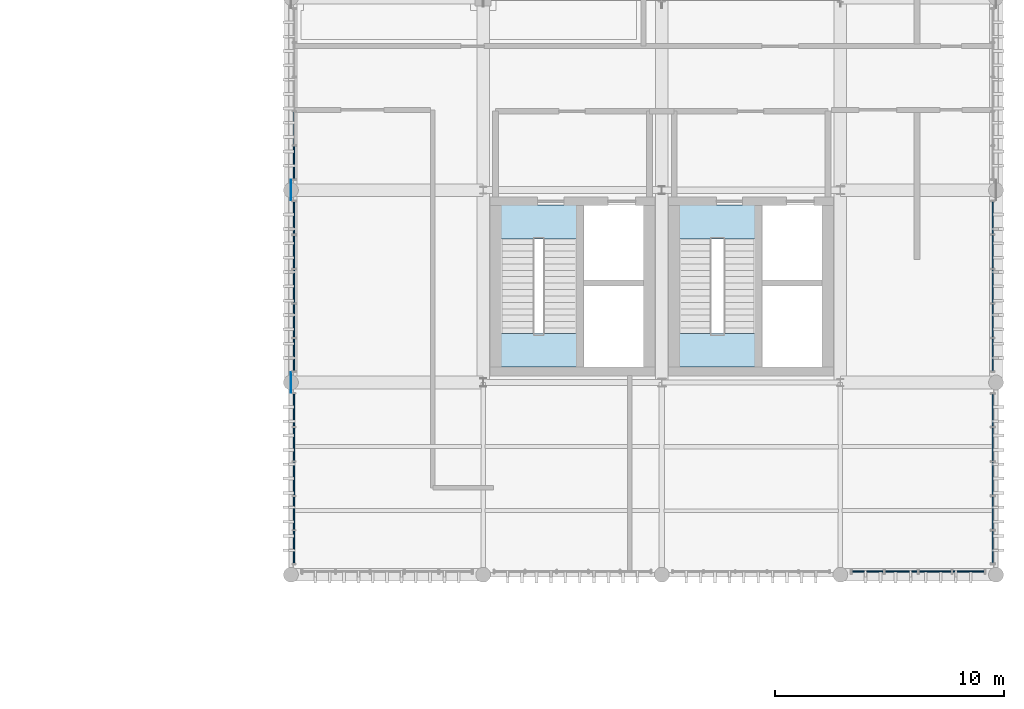
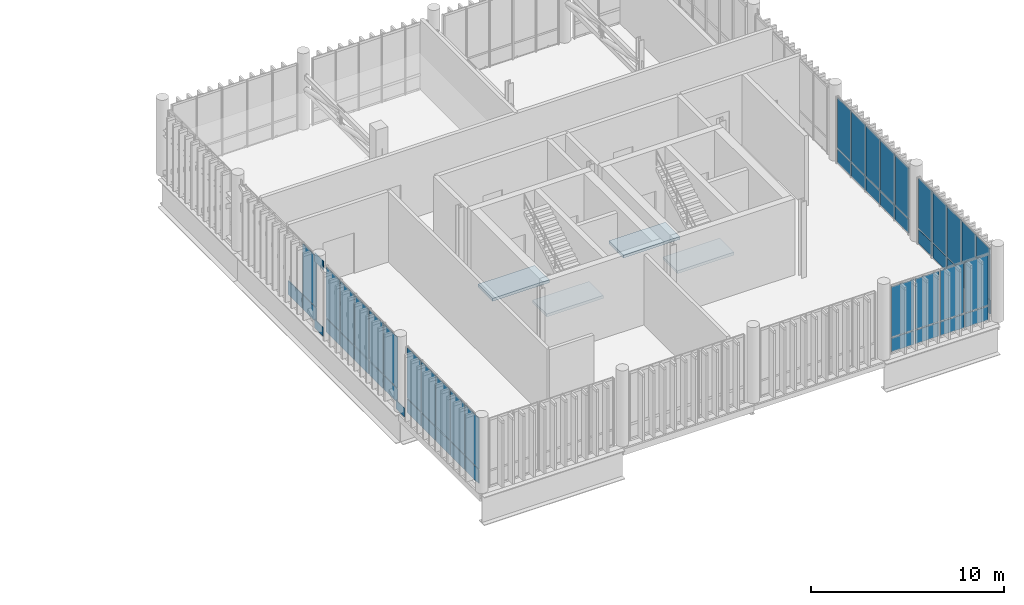
# One storey, part 65 of 81: 54 plates, 4 slabs, 8 elements without a shape of their own.
"""IFC4 building model written with IfcOpenShell, lengths in metres."""

import ifcopenshell
import ifcopenshell.guid

model = None  # the IFC model being written
_history = None  # IfcOwnerHistory: only IFC2X3 demands one
_inside = {}  # id of a spatial element -> (the spatial element, [elements in it])
_under = {}  # id of a project, library or spatial element -> (it, [spatial elements below it])
_declared = {}  # id of a project -> (the project, [libraries it declares])
_typed = {}  # id of a type object -> (the type object, [elements of that type])
_made_of = {}  # id of a material, layer set ... -> (it, [elements and type objects made of it])


def new_model(schema):
    """Start an empty IFC model of exactly this schema.

    Asked for "IFC4X3", IfcOpenShell would pick the latest addendum, in which some entities
    have other attributes; the version numbers below select the first issue.
    IFC2X3 requires an IfcOwnerHistory on every rooted entity: one is made here for all.
    """
    global model, _history
    if schema == "IFC4X3":
        model = ifcopenshell.file(schema_version=(4, 3, 0, 0))
    else:
        model = ifcopenshell.file(schema=schema)
    _inside.clear()
    _under.clear()
    _declared.clear()
    _typed.clear()
    _made_of.clear()
    _history = None
    if model.schema == "IFC2X3":
        org = make("IfcOrganization", Name="unknown")
        user = make(
            "IfcPersonAndOrganization",
            ThePerson=make("IfcPerson", FamilyName="unknown"),
            TheOrganization=org,
        )
        app = make(
            "IfcApplication",
            ApplicationDeveloper=org,
            Version="unknown",
            ApplicationFullName="unknown",
            ApplicationIdentifier="unknown",
        )
        _history = make(
            "IfcOwnerHistory",
            OwningUser=user,
            OwningApplication=app,
            ChangeAction="ADDED",
            CreationDate=0,
        )
    return model


def make(cls, **values):
    """One entity of the class cls with the attributes given. An attribute that is None is left unset."""
    return model.create_entity(
        cls, **{name: value for name, value in values.items() if value is not None}
    )


def rooted(cls, **values):
    """An entity with a GlobalId (a new one), such as an element, a storey or a relation."""
    return make(cls, GlobalId=ifcopenshell.guid.new(), OwnerHistory=_history, **values)


def si_unit(unit_type, name, prefix=None):
    """IfcSIUnit, for example si_unit("LENGTHUNIT", "METRE", prefix="MILLI")."""
    return make("IfcSIUnit", UnitType=unit_type, Prefix=prefix, Name=name)


def assignment(units):
    """IfcUnitAssignment: the units of a project."""
    return None if units is None else make("IfcUnitAssignment", Units=units)


def point(xyz):
    """IfcCartesianPoint."""
    return None if xyz is None else make("IfcCartesianPoint", Coordinates=xyz)


def direction(xyz):
    """IfcDirection."""
    return None if xyz is None else make("IfcDirection", DirectionRatios=xyz)


def frame(location, z_axis=None, x_axis=None):
    """IfcAxis2Placement3D, a coordinate frame: its origin and axes. An axis left out is left unset."""
    return make(
        "IfcAxis2Placement3D",
        Location=point(location),
        Axis=direction(z_axis),
        RefDirection=direction(x_axis),
    )


def frame_2d(location, x_axis=None):
    """IfcAxis2Placement2D, a coordinate frame in the plane: its origin and x axis."""
    return make(
        "IfcAxis2Placement2D", Location=point(location), RefDirection=direction(x_axis)
    )


def origin_with_axes():
    """The frame at (0, 0, 0) with the z axis (0, 0, 1) and the x axis (1, 0, 0) written out."""
    return frame((0.0, 0.0, 0.0), z_axis=(0.0, 0.0, 1.0), x_axis=(1.0, 0.0, 0.0))


def origin_2d_with_axis():
    """The frame at (0, 0) in the plane with the x axis (1, 0) written out."""
    return frame_2d((0.0, 0.0), x_axis=(1.0, 0.0))


def place(relative_to, where):
    """IfcLocalPlacement: puts the frame where relative to a parent placement (None: the world)."""
    return make(
        "IfcLocalPlacement", PlacementRelTo=relative_to, RelativePlacement=where
    )


def context(
    kind, dimensions, precision=None, world=None, true_north=None, identifier=None
):
    """IfcGeometricRepresentationContext, for example the 3D "Model" context."""
    return make(
        "IfcGeometricRepresentationContext",
        ContextIdentifier=identifier,
        ContextType=kind,
        CoordinateSpaceDimension=dimensions,
        Precision=precision,
        WorldCoordinateSystem=world,
        TrueNorth=true_north,
    )


def subcontext(parent, identifier, kind, view, scale=None):
    """IfcGeometricRepresentationSubContext, for example "Body" below "Model"."""
    return make(
        "IfcGeometricRepresentationSubContext",
        ContextIdentifier=identifier,
        ContextType=kind,
        ParentContext=parent,
        TargetScale=scale,
        TargetView=view,
    )


def project(units=None, contexts=None):
    """IfcProject with its units and contexts."""
    return rooted(
        "IfcProject",
        Name="project",
        RepresentationContexts=contexts,
        UnitsInContext=assignment(units),
    )


def spatial(cls, under=None, at=None, **own):
    """A site, building, storey or space (cls), placed at a placement, below another one or the project."""
    s = rooted(cls, ObjectPlacement=at, **own)
    if under is not None:
        _under.setdefault(under.id(), (under, []))[1].append(s)
    return s


def polyline(points):
    """IfcPolyline through the points."""
    return make("IfcPolyline", Points=[point(p) for p in points])


def profile(cls, at=None, kind="AREA", **sizes):
    """A parametric profile (cls). Its sizes go by their IFC names, for example OverallWidth=200.0."""
    return make(cls, ProfileType=kind, Position=at, **sizes)


def rectangle(**sizes):
    """IfcRectangleProfileDef."""
    return profile("IfcRectangleProfileDef", **sizes)


def outline(outer, holes=None, kind="AREA"):
    """IfcArbitraryClosedProfileDef: a profile drawn as a closed curve; with holes, ...WithVoids."""
    if holes is None:
        return make("IfcArbitraryClosedProfileDef", ProfileType=kind, OuterCurve=outer)
    return make(
        "IfcArbitraryProfileDefWithVoids",
        ProfileType=kind,
        OuterCurve=outer,
        InnerCurves=holes,
    )


def extrude(swept, where, along, depth):
    """IfcExtrudedAreaSolid: the profile swept, set in the frame where, extruded along a direction by depth."""
    return make(
        "IfcExtrudedAreaSolid",
        SweptArea=swept,
        Position=where,
        ExtrudedDirection=direction(along),
        Depth=depth,
    )


def shape(context_of_items, identifier, shape_type, items):
    """IfcShapeRepresentation: the items that make up one representation, for example the "Body"."""
    return make(
        "IfcShapeRepresentation",
        ContextOfItems=context_of_items,
        RepresentationIdentifier=identifier,
        RepresentationType=shape_type,
        Items=items,
    )


def material(Name=None, Category=None):
    """IfcMaterial."""
    return make("IfcMaterial", Name=Name, Category=Category)


def layer(
    of_material, thickness, ventilated=None, Name=None, Category=None, Priority=None
):
    """IfcMaterialLayer: one layer of a wall or slab, of a material (None: an air gap)."""
    return make(
        "IfcMaterialLayer",
        Material=of_material,
        LayerThickness=thickness,
        IsVentilated=ventilated,
        Name=Name,
        Category=Category,
        Priority=Priority,
    )


def layer_set(layers, Name=None):
    """IfcMaterialLayerSet."""
    return make("IfcMaterialLayerSet", MaterialLayers=layers, LayerSetName=Name)


def made_of(thing, what):
    """Note that an element or type object is made of a material, layer set ...; save() writes the relation."""
    if what is not None:
        _made_of.setdefault(what.id(), (what, []))[1].append(thing)
    return thing


def type_object(cls, material=None, **own):
    """A type object (cls), such as IfcWallType, which elements share."""
    return made_of(rooted(cls, **own), material)


def element(
    cls,
    number,
    at=None,
    inside=None,
    cuts=None,
    type_object=None,
    material=None,
    context=None,
    identifier="Body",
    shape_type=None,
    held_by="IfcProductDefinitionShape",
    body=None,
    shapes=None,
    **own,
):
    """One element of the class cls, such as IfcWall. Its Tag is "e" and its number.

    at: its placement. inside: the storey or other place that contains it. cuts: it is an
    opening in that element (IfcRelVoidsElement). A single representation is given by context,
    identifier, shape_type and body (its items); several are given by shapes. held_by: the class
    of the entity that holds the representations. save() writes the other relations.
    """
    e = rooted(cls, Tag="e%d" % number, ObjectPlacement=at, **own)
    if body is not None:
        shapes = [shape(context, identifier, shape_type, body)]
    if shapes is not None:
        e.Representation = make(held_by, Representations=shapes)
    if inside is not None:
        _inside.setdefault(inside.id(), (inside, []))[1].append(e)
    if cuts is not None:
        rooted(
            "IfcRelVoidsElement", RelatingBuildingElement=cuts, RelatedOpeningElement=e
        )
    if type_object is not None:
        _typed.setdefault(type_object.id(), (type_object, []))[1].append(e)
    return made_of(e, material)


def aggregate(whole, parts):
    """IfcRelAggregates: a whole, such as a stair, and the parts it consists of."""
    return rooted("IfcRelAggregates", RelatingObject=whole, RelatedObjects=parts)


def save(model, path):
    """Write the relations noted so far, then the file.

    IfcRelAggregates (storeys below a building ...), IfcRelContainedInSpatialStructure (elements
    in a storey), IfcRelDefinesByType, IfcRelAssociatesMaterial and IfcRelDeclares: one each for
    every whole, place, type object, material and project.
    """
    for whole, parts in _under.values():
        aggregate(whole, parts)
    for where, things in _inside.values():
        rooted(
            "IfcRelContainedInSpatialStructure",
            RelatedElements=things,
            RelatingStructure=where,
        )
    for kind, things in _typed.values():
        rooted("IfcRelDefinesByType", RelatedObjects=things, RelatingType=kind)
    for what, things in _made_of.values():
        rooted("IfcRelAssociatesMaterial", RelatedObjects=things, RelatingMaterial=what)
    for by, libraries in _declared.values():
        rooted("IfcRelDeclares", RelatingContext=by, RelatedDefinitions=libraries)
    model.write(path)


model = new_model("IFC4")

# Units and contexts
model_context = context("Model", 3, precision=1e-05, world=origin_with_axes(), true_north=direction((0.0, 1.0)))
body_context = subcontext(model_context, "Body", "Model", "MODEL_VIEW")
ifc_project = project(units=[si_unit("LENGTHUNIT", "METRE"), si_unit("AREAUNIT", "SQUARE_METRE"), si_unit("VOLUMEUNIT", "CUBIC_METRE"), si_unit("PLANEANGLEUNIT", "RADIAN"), si_unit("MASSUNIT", "GRAM", prefix="KILO"), si_unit("THERMODYNAMICTEMPERATUREUNIT", "KELVIN")], contexts=[model_context])

# Site, building, storey
site_placement = place(None, origin_with_axes())
site = spatial("IfcSite", under=ifc_project, at=site_placement, CompositionType="ELEMENT")
building_placement = place(site_placement, origin_with_axes())
building = spatial("IfcBuilding", under=site, at=building_placement, Name="Montbau Bow Law Courts", CompositionType="ELEMENT")
storey_placement = place(building_placement, frame((0.0, 0.0, 24.9), z_axis=(0.0, 0.0, 1.0), x_axis=(1.0, 0.0, 0.0)))
storey = spatial("IfcBuildingStorey", under=building, at=storey_placement, Name="L05", CompositionType="ELEMENT", Elevation=24.9)

# Curtain wall, plates
ifc_material_1 = material(Name="Thermally Broken Extruded Aluminium AA 6063-T6", Category="aluminium")
curtain_wall_type = type_object("IfcCurtainWallType", Name="CW-SLT-02", PredefinedType="NOTDEFINED", material=ifc_material_1)
curtain_wall_1_placement = place(None, frame((163.04, 78.14, 24.9), z_axis=(0.0, 0.0, 1.0), x_axis=(1.0, 0.0, 0.0)))
curtain_wall_1 = element("IfcCurtainWall", 1, at=curtain_wall_1_placement, inside=storey, type_object=curtain_wall_type, Name="CW-L05-336:cw_0336", PredefinedType="NOTDEFINED")
ifc_material_2 = material(Name="Triple-Glazed Low-E Argon Insulating Glass Unit", Category="glass")
ifc_layer_1 = layer(ifc_material_2, 0.044, Name="Curtain Panel", Category="glass")
ifc_layer_set_1 = layer_set([ifc_layer_1], Name="Triple-Glazed Low-E Argon Insulating Glass Unit")
plate_type_1 = type_object("IfcPlateType", Name="PL-CWP-01", PredefinedType="CURTAIN_PANEL", material=ifc_layer_set_1)
plate_1_placement = place(None, frame((163.116, 78.14, 25.882), z_axis=(0.0, -1.0, 0.0), x_axis=(1.0, 0.0, 0.0)))
plate_1 = element("IfcPlate", 2, at=plate_1_placement, type_object=plate_type_1, Name="CW-L05-336-P01-2:cw_0336_P01_2", PredefinedType="CURTAIN_PANEL", context=body_context, shape_type="SweptSolid", body=[
    extrude(rectangle(XDim=1.364, YDim=3.176, at=frame_2d((0.682, 1.588), x_axis=(1.0, 0.0))), frame((0.0, 0.0, -0.022), z_axis=(0.0, 0.0, 1.0), x_axis=(1.0, 0.0, 0.0)), (0.0, 0.0, 1.0), 0.044),
])
plate_2_placement = place(None, frame((164.56, 78.14, 25.882), z_axis=(0.0, -1.0, 0.0), x_axis=(1.0, 0.0, 0.0)))
plate_2 = element("IfcPlate", 3, at=plate_2_placement, type_object=plate_type_1, Name="CW-L05-336-P02-2:cw_0336_P02_2", PredefinedType="CURTAIN_PANEL", context=body_context, shape_type="SweptSolid", body=[
    extrude(rectangle(XDim=1.401, YDim=3.176, at=frame_2d((0.7005, 1.588), x_axis=(1.0, 0.0))), frame((0.0, 0.0, -0.022), z_axis=(0.0, 0.0, 1.0), x_axis=(1.0, 0.0, 0.0)), (0.0, 0.0, 1.0), 0.044),
])
plate_3_placement = place(None, frame((166.039, 78.14, 25.882), z_axis=(0.0, -1.0, 0.0), x_axis=(1.0, 0.0, 0.0)))
plate_3 = element("IfcPlate", 4, at=plate_3_placement, type_object=plate_type_1, Name="CW-L05-336-P03-2:cw_0336_P03_2", PredefinedType="CURTAIN_PANEL", context=body_context, shape_type="SweptSolid", body=[
    extrude(rectangle(XDim=1.402, YDim=3.176, at=frame_2d((0.701, 1.588), x_axis=(1.0, 0.0))), frame((0.0, 0.0, -0.022), z_axis=(0.0, 0.0, 1.0), x_axis=(1.0, 0.0, 0.0)), (0.0, 0.0, 1.0), 0.044),
])
plate_4_placement = place(None, frame((167.519, 78.14, 25.882), z_axis=(0.0, -1.0, 0.0), x_axis=(1.0, 0.0, 0.0)))
plate_4 = element("IfcPlate", 5, at=plate_4_placement, type_object=plate_type_1, Name="CW-L05-336-P04-2:cw_0336_P04_2", PredefinedType="CURTAIN_PANEL", context=body_context, shape_type="SweptSolid", body=[
    extrude(rectangle(XDim=1.365, YDim=3.176, at=frame_2d((0.6825, 1.588), x_axis=(1.0, 0.0))), frame((0.0, 0.0, -0.022), z_axis=(0.0, 0.0, 1.0), x_axis=(1.0, 0.0, 0.0)), (0.0, 0.0, 1.0), 0.044),
])

curtain_wall_2_placement = place(None, frame((138.74, 78.44, 24.9), z_axis=(0.0, 0.0, 1.0), x_axis=(1.0, 0.0, 0.0)))
curtain_wall_2 = element("IfcCurtainWall", 6, at=curtain_wall_2_placement, inside=storey, type_object=curtain_wall_type, Name="CW-L05-341:cw_0341", PredefinedType="NOTDEFINED")
plate_5_placement = place(None, frame((138.74, 78.502, 25.88), z_axis=(1.0, 0.0, 0.0), x_axis=(0.0, 1.0, 0.0)))
plate_5 = element("IfcPlate", 7, at=plate_5_placement, type_object=plate_type_1, Name="CW-L05-341-P01-2:cw_0341_P01_2", PredefinedType="CURTAIN_PANEL", context=body_context, shape_type="SweptSolid", body=[
    extrude(rectangle(XDim=1.41, YDim=3.184, at=frame_2d((0.705, 1.592), x_axis=(1.0, 0.0))), frame((0.0, 0.0, -0.022), z_axis=(0.0, 0.0, 1.0), x_axis=(1.0, 0.0, 0.0)), (0.0, 0.0, 1.0), 0.044),
])
plate_6_placement = place(None, frame((138.74, 79.976, 25.88), z_axis=(1.0, 0.0, 0.0), x_axis=(0.0, 1.0, 0.0)))
plate_6 = element("IfcPlate", 8, at=plate_6_placement, type_object=plate_type_1, Name="CW-L05-341-P02-2:cw_0341_P02_2", PredefinedType="CURTAIN_PANEL", context=body_context, shape_type="SweptSolid", body=[
    extrude(rectangle(XDim=1.44, YDim=3.184, at=frame_2d((0.72, 1.592), x_axis=(1.0, 0.0))), frame((0.0, 0.0, -0.022), z_axis=(0.0, 0.0, 1.0), x_axis=(1.0, 0.0, 0.0)), (0.0, 0.0, 1.0), 0.044),
])
plate_7_placement = place(None, frame((138.74, 81.48, 25.88), z_axis=(1.0, 0.0, 0.0), x_axis=(0.0, 1.0, 0.0)))
plate_7 = element("IfcPlate", 9, at=plate_7_placement, type_object=plate_type_1, Name="CW-L05-341-P03-2:cw_0341_P03_2", PredefinedType="CURTAIN_PANEL", context=body_context, shape_type="SweptSolid", body=[
    extrude(rectangle(XDim=1.44, YDim=3.184, at=frame_2d((0.72, 1.592), x_axis=(1.0, 0.0))), frame((0.0, 0.0, -0.022), z_axis=(0.0, 0.0, 1.0), x_axis=(1.0, 0.0, 0.0)), (0.0, 0.0, 1.0), 0.044),
])
plate_8_placement = place(None, frame((138.74, 82.984, 25.88), z_axis=(1.0, 0.0, 0.0), x_axis=(0.0, 1.0, 0.0)))
plate_8 = element("IfcPlate", 10, at=plate_8_placement, type_object=plate_type_1, Name="CW-L05-341-P04-2:cw_0341_P04_2", PredefinedType="CURTAIN_PANEL", context=body_context, shape_type="SweptSolid", body=[
    extrude(rectangle(XDim=1.44, YDim=3.184, at=frame_2d((0.72, 1.592), x_axis=(1.0, 0.0))), frame((0.0, 0.0, -0.022), z_axis=(0.0, 0.0, 1.0), x_axis=(1.0, 0.0, 0.0)), (0.0, 0.0, 1.0), 0.044),
])
plate_9_placement = place(None, frame((138.74, 84.488, 25.88), z_axis=(1.0, 0.0, 0.0), x_axis=(0.0, 1.0, 0.0)))
plate_9 = element("IfcPlate", 11, at=plate_9_placement, type_object=plate_type_1, Name="CW-L05-341-P05-2:cw_0341_P05_2", PredefinedType="CURTAIN_PANEL", context=body_context, shape_type="SweptSolid", body=[
    extrude(rectangle(XDim=1.41, YDim=3.184, at=frame_2d((0.705, 1.592), x_axis=(1.0, 0.0))), frame((0.0, 0.0, -0.022), z_axis=(0.0, 0.0, 1.0), x_axis=(1.0, 0.0, 0.0)), (0.0, 0.0, 1.0), 0.044),
])

curtain_wall_3_placement = place(None, frame((138.74, 86.84, 24.9), z_axis=(0.0, 0.0, 1.0), x_axis=(1.0, 0.0, 0.0)))
curtain_wall_3 = element("IfcCurtainWall", 12, at=curtain_wall_3_placement, inside=storey, type_object=curtain_wall_type, Name="CW-L05-342:cw_0342", PredefinedType="NOTDEFINED")
plate_10_placement = place(None, frame((138.74, 86.916, 25.882), z_axis=(1.0, 0.0, 0.0), x_axis=(0.0, 1.0, 0.0)))
plate_10 = element("IfcPlate", 13, at=plate_10_placement, type_object=plate_type_1, Name="CW-L05-342-P01-2:cw_0342_P01_2", PredefinedType="CURTAIN_PANEL", context=body_context, shape_type="SweptSolid", body=[
    extrude(rectangle(XDim=1.388, YDim=3.176, at=frame_2d((0.694, 1.588), x_axis=(1.0, 0.0))), frame((0.0, 0.0, -0.022), z_axis=(0.0, 0.0, 1.0), x_axis=(1.0, 0.0, 0.0)), (0.0, 0.0, 1.0), 0.044),
])
plate_11_placement = place(None, frame((138.74, 88.384, 25.882), z_axis=(1.0, 0.0, 0.0), x_axis=(0.0, 1.0, 0.0)))
plate_11 = element("IfcPlate", 14, at=plate_11_placement, type_object=plate_type_1, Name="CW-L05-342-P02-2:cw_0342_P02_2", PredefinedType="CURTAIN_PANEL", context=body_context, shape_type="SweptSolid", body=[
    extrude(rectangle(XDim=1.425, YDim=3.176, at=frame_2d((0.7125, 1.588), x_axis=(1.0, 0.0))), frame((0.0, 0.0, -0.022), z_axis=(0.0, 0.0, 1.0), x_axis=(1.0, 0.0, 0.0)), (0.0, 0.0, 1.0), 0.044),
])
plate_12_placement = place(None, frame((138.74, 89.887, 25.882), z_axis=(1.0, 0.0, 0.0), x_axis=(0.0, 1.0, 0.0)))
plate_12 = element("IfcPlate", 15, at=plate_12_placement, type_object=plate_type_1, Name="CW-L05-342-P03-2:cw_0342_P03_2", PredefinedType="CURTAIN_PANEL", context=body_context, shape_type="SweptSolid", body=[
    extrude(rectangle(XDim=1.426, YDim=3.176, at=frame_2d((0.713, 1.588), x_axis=(1.0, 0.0))), frame((0.0, 0.0, -0.022), z_axis=(0.0, 0.0, 1.0), x_axis=(1.0, 0.0, 0.0)), (0.0, 0.0, 1.0), 0.044),
])
plate_13_placement = place(None, frame((138.74, 91.391, 25.882), z_axis=(1.0, 0.0, 0.0), x_axis=(0.0, 1.0, 0.0)))
plate_13 = element("IfcPlate", 16, at=plate_13_placement, type_object=plate_type_1, Name="CW-L05-342-P04-2:cw_0342_P04_2", PredefinedType="CURTAIN_PANEL", context=body_context, shape_type="SweptSolid", body=[
    extrude(rectangle(XDim=1.426, YDim=3.176, at=frame_2d((0.713, 1.588), x_axis=(1.0, 0.0))), frame((0.0, 0.0, -0.022), z_axis=(0.0, 0.0, 1.0), x_axis=(1.0, 0.0, 0.0)), (0.0, 0.0, 1.0), 0.044),
])
plate_14_placement = place(None, frame((138.74, 92.895, 25.882), z_axis=(1.0, 0.0, 0.0), x_axis=(0.0, 1.0, 0.0)))
plate_14 = element("IfcPlate", 17, at=plate_14_placement, type_object=plate_type_1, Name="CW-L05-342-P05-2:cw_0342_P05_2", PredefinedType="CURTAIN_PANEL", context=body_context, shape_type="SweptSolid", body=[
    extrude(rectangle(XDim=1.388, YDim=3.176, at=frame_2d((0.694, 1.588), x_axis=(1.0, 0.0))), frame((0.0, 0.0, -0.022), z_axis=(0.0, 0.0, 1.0), x_axis=(1.0, 0.0, 0.0)), (0.0, 0.0, 1.0), 0.044),
])

# Curtain wall, plate
curtain_wall_4_placement = place(None, frame((138.74, 95.24, 24.9), z_axis=(0.0, 0.0, 1.0), x_axis=(1.0, 0.0, 0.0)))
curtain_wall_4 = element("IfcCurtainWall", 18, at=curtain_wall_4_placement, inside=storey, type_object=curtain_wall_type, Name="CW-L05-343:cw_0343", PredefinedType="NOTDEFINED")
plate_15_placement = place(None, frame((138.74, 95.308, 25.88), z_axis=(1.0, 0.0, 0.0), x_axis=(0.0, 1.0, 0.0)))
plate_15 = element("IfcPlate", 19, at=plate_15_placement, type_object=plate_type_1, Name="CW-L05-343-P01-2:cw_0343_P01_2", PredefinedType="CURTAIN_PANEL", context=body_context, shape_type="SweptSolid", body=[
    extrude(rectangle(XDim=1.402, YDim=3.184, at=frame_2d((0.701, 1.592), x_axis=(1.0, 0.0))), frame((0.0, 0.0, -0.022), z_axis=(0.0, 0.0, 1.0), x_axis=(1.0, 0.0, 0.0)), (0.0, 0.0, 1.0), 0.044),
])

# Curtain wall, plates
curtain_wall_5_placement = place(None, frame((169.26, 78.44, 24.9), z_axis=(0.0, 0.0, 1.0), x_axis=(1.0, 0.0, 0.0)))
curtain_wall_5 = element("IfcCurtainWall", 20, at=curtain_wall_5_placement, inside=storey, type_object=curtain_wall_type, Name="CW-L05-345:cw_0345", PredefinedType="NOTDEFINED")
plate_16_placement = place(None, frame((169.26, 78.516, 25.88), z_axis=(1.0, 0.0, 0.0), x_axis=(0.0, 1.0, 0.0)))
plate_16 = element("IfcPlate", 21, at=plate_16_placement, type_object=plate_type_1, Name="CW-L05-345-P01-2:cw_0345_P01_2", PredefinedType="CURTAIN_PANEL", context=body_context, shape_type="SweptSolid", body=[
    extrude(rectangle(XDim=1.388, YDim=3.184, at=frame_2d((0.694, 1.592), x_axis=(1.0, 0.0))), frame((0.0, 0.0, -0.022), z_axis=(0.0, 0.0, 1.0), x_axis=(1.0, 0.0, 0.0)), (0.0, 0.0, 1.0), 0.044),
])
plate_17_placement = place(None, frame((169.26, 79.984, 25.88), z_axis=(1.0, 0.0, 0.0), x_axis=(0.0, 1.0, 0.0)))
plate_17 = element("IfcPlate", 22, at=plate_17_placement, type_object=plate_type_1, Name="CW-L05-345-P02-2:cw_0345_P02_2", PredefinedType="CURTAIN_PANEL", context=body_context, shape_type="SweptSolid", body=[
    extrude(rectangle(XDim=1.425, YDim=3.184, at=frame_2d((0.7125, 1.592), x_axis=(1.0, 0.0))), frame((0.0, 0.0, -0.022), z_axis=(0.0, 0.0, 1.0), x_axis=(1.0, 0.0, 0.0)), (0.0, 0.0, 1.0), 0.044),
])
plate_18_placement = place(None, frame((169.26, 81.487, 25.88), z_axis=(1.0, 0.0, 0.0), x_axis=(0.0, 1.0, 0.0)))
plate_18 = element("IfcPlate", 23, at=plate_18_placement, type_object=plate_type_1, Name="CW-L05-345-P03-2:cw_0345_P03_2", PredefinedType="CURTAIN_PANEL", context=body_context, shape_type="SweptSolid", body=[
    extrude(rectangle(XDim=1.426, YDim=3.184, at=frame_2d((0.713, 1.592), x_axis=(1.0, 0.0))), frame((0.0, 0.0, -0.022), z_axis=(0.0, 0.0, 1.0), x_axis=(1.0, 0.0, 0.0)), (0.0, 0.0, 1.0), 0.044),
])
plate_19_placement = place(None, frame((169.26, 82.991, 25.88), z_axis=(1.0, 0.0, 0.0), x_axis=(0.0, 1.0, 0.0)))
plate_19 = element("IfcPlate", 24, at=plate_19_placement, type_object=plate_type_1, Name="CW-L05-345-P04-2:cw_0345_P04_2", PredefinedType="CURTAIN_PANEL", context=body_context, shape_type="SweptSolid", body=[
    extrude(rectangle(XDim=1.426, YDim=3.184, at=frame_2d((0.713, 1.592), x_axis=(1.0, 0.0))), frame((0.0, 0.0, -0.022), z_axis=(0.0, 0.0, 1.0), x_axis=(1.0, 0.0, 0.0)), (0.0, 0.0, 1.0), 0.044),
])
plate_20_placement = place(None, frame((169.26, 84.495, 25.88), z_axis=(1.0, 0.0, 0.0), x_axis=(0.0, 1.0, 0.0)))
plate_20 = element("IfcPlate", 25, at=plate_20_placement, type_object=plate_type_1, Name="CW-L05-345-P05-2:cw_0345_P05_2", PredefinedType="CURTAIN_PANEL", context=body_context, shape_type="SweptSolid", body=[
    extrude(rectangle(XDim=1.388, YDim=3.184, at=frame_2d((0.694, 1.592), x_axis=(1.0, 0.0))), frame((0.0, 0.0, -0.022), z_axis=(0.0, 0.0, 1.0), x_axis=(1.0, 0.0, 0.0)), (0.0, 0.0, 1.0), 0.044),
])

curtain_wall_6_placement = place(None, frame((169.26, 86.84, 24.9), z_axis=(0.0, 0.0, 1.0), x_axis=(1.0, 0.0, 0.0)))
curtain_wall_6 = element("IfcCurtainWall", 26, at=curtain_wall_6_placement, inside=storey, type_object=curtain_wall_type, Name="CW-L05-346:cw_0346", PredefinedType="NOTDEFINED")
plate_21_placement = place(None, frame((169.26, 86.908, 25.882), z_axis=(1.0, 0.0, 0.0), x_axis=(0.0, 1.0, 0.0)))
plate_21 = element("IfcPlate", 27, at=plate_21_placement, type_object=plate_type_1, Name="CW-L05-346-P01-2:cw_0346_P01_2", PredefinedType="CURTAIN_PANEL", context=body_context, shape_type="SweptSolid", body=[
    extrude(rectangle(XDim=1.402, YDim=3.176, at=frame_2d((0.701, 1.588), x_axis=(1.0, 0.0))), frame((0.0, 0.0, -0.022), z_axis=(0.0, 0.0, 1.0), x_axis=(1.0, 0.0, 0.0)), (0.0, 0.0, 1.0), 0.044),
])
plate_22_placement = place(None, frame((169.26, 88.378, 25.882), z_axis=(1.0, 0.0, 0.0), x_axis=(0.0, 1.0, 0.0)))
plate_22 = element("IfcPlate", 28, at=plate_22_placement, type_object=plate_type_1, Name="CW-L05-346-P02-2:cw_0346_P02_2", PredefinedType="CURTAIN_PANEL", context=body_context, shape_type="SweptSolid", body=[
    extrude(rectangle(XDim=1.436, YDim=3.176, at=frame_2d((0.718, 1.588), x_axis=(1.0, 0.0))), frame((0.0, 0.0, -0.022), z_axis=(0.0, 0.0, 1.0), x_axis=(1.0, 0.0, 0.0)), (0.0, 0.0, 1.0), 0.044),
])
plate_23_placement = place(None, frame((169.26, 89.882, 25.882), z_axis=(1.0, 0.0, 0.0), x_axis=(0.0, 1.0, 0.0)))
plate_23 = element("IfcPlate", 29, at=plate_23_placement, type_object=plate_type_1, Name="CW-L05-346-P03-2:cw_0346_P03_2", PredefinedType="CURTAIN_PANEL", context=body_context, shape_type="SweptSolid", body=[
    extrude(rectangle(XDim=1.436, YDim=3.176, at=frame_2d((0.718, 1.588), x_axis=(1.0, 0.0))), frame((0.0, 0.0, -0.022), z_axis=(0.0, 0.0, 1.0), x_axis=(1.0, 0.0, 0.0)), (0.0, 0.0, 1.0), 0.044),
])
plate_24_placement = place(None, frame((169.26, 91.386, 25.882), z_axis=(1.0, 0.0, 0.0), x_axis=(0.0, 1.0, 0.0)))
plate_24 = element("IfcPlate", 30, at=plate_24_placement, type_object=plate_type_1, Name="CW-L05-346-P04-2:cw_0346_P04_2", PredefinedType="CURTAIN_PANEL", context=body_context, shape_type="SweptSolid", body=[
    extrude(rectangle(XDim=1.436, YDim=3.176, at=frame_2d((0.718, 1.588), x_axis=(1.0, 0.0))), frame((0.0, 0.0, -0.022), z_axis=(0.0, 0.0, 1.0), x_axis=(1.0, 0.0, 0.0)), (0.0, 0.0, 1.0), 0.044),
])
plate_25_placement = place(None, frame((169.26, 92.89, 25.882), z_axis=(1.0, 0.0, 0.0), x_axis=(0.0, 1.0, 0.0)))
plate_25 = element("IfcPlate", 31, at=plate_25_placement, type_object=plate_type_1, Name="CW-L05-346-P05-2:cw_0346_P05_2", PredefinedType="CURTAIN_PANEL", context=body_context, shape_type="SweptSolid", body=[
    extrude(rectangle(XDim=1.403, YDim=3.176, at=frame_2d((0.7015, 1.588), x_axis=(1.0, 0.0))), frame((0.0, 0.0, -0.022), z_axis=(0.0, 0.0, 1.0), x_axis=(1.0, 0.0, 0.0)), (0.0, 0.0, 1.0), 0.044),
])

# Plate
ifc_material_3 = material(Name="Insulated Ceramic-Frit Spandrel Glazing Unit", Category="glass")
ifc_layer_2 = layer(ifc_material_3, 0.056, Name="Curtain Panel", Category="glass")
ifc_layer_set_2 = layer_set([ifc_layer_2], Name="Insulated Ceramic-Frit Spandrel Glazing Unit")
plate_type_2 = type_object("IfcPlateType", Name="PL-CWP-02", PredefinedType="CURTAIN_PANEL", material=ifc_layer_set_2)
plate_26_placement = place(None, frame((163.116, 78.14, 24.962), z_axis=(0.0, -1.0, 0.0), x_axis=(1.0, 0.0, 0.0)))
plate_26 = element("IfcPlate", 32, at=plate_26_placement, type_object=plate_type_2, Name="CW-L05-336-P01-1:cw_0336_P01_1", PredefinedType="CURTAIN_PANEL", context=body_context, shape_type="SweptSolid", body=[
    extrude(rectangle(XDim=1.364, YDim=0.856, at=frame_2d((0.682, 0.428), x_axis=(1.0, 0.0))), frame((0.0, 0.0, -0.028), z_axis=(0.0, 0.0, 1.0), x_axis=(1.0, 0.0, 0.0)), (0.0, 0.0, 1.0), 0.056),
])

plate_27_placement = place(None, frame((164.56, 78.14, 24.962), z_axis=(0.0, -1.0, 0.0), x_axis=(1.0, 0.0, 0.0)))
plate_27 = element("IfcPlate", 33, at=plate_27_placement, type_object=plate_type_2, Name="CW-L05-336-P02-1:cw_0336_P02_1", PredefinedType="CURTAIN_PANEL", context=body_context, shape_type="SweptSolid", body=[
    extrude(rectangle(XDim=1.401, YDim=0.856, at=frame_2d((0.7005, 0.428), x_axis=(1.0, 0.0))), frame((0.0, 0.0, -0.028), z_axis=(0.0, 0.0, 1.0), x_axis=(1.0, 0.0, 0.0)), (0.0, 0.0, 1.0), 0.056),
])

plate_28_placement = place(None, frame((166.039, 78.14, 24.962), z_axis=(0.0, -1.0, 0.0), x_axis=(1.0, 0.0, 0.0)))
plate_28 = element("IfcPlate", 34, at=plate_28_placement, type_object=plate_type_2, Name="CW-L05-336-P03-1:cw_0336_P03_1", PredefinedType="CURTAIN_PANEL", context=body_context, shape_type="SweptSolid", body=[
    extrude(rectangle(XDim=1.402, YDim=0.856, at=frame_2d((0.701, 0.428), x_axis=(1.0, 0.0))), frame((0.0, 0.0, -0.028), z_axis=(0.0, 0.0, 1.0), x_axis=(1.0, 0.0, 0.0)), (0.0, 0.0, 1.0), 0.056),
])

plate_29_placement = place(None, frame((167.519, 78.14, 24.962), z_axis=(0.0, -1.0, 0.0), x_axis=(1.0, 0.0, 0.0)))
plate_29 = element("IfcPlate", 35, at=plate_29_placement, type_object=plate_type_2, Name="CW-L05-336-P04-1:cw_0336_P04_1", PredefinedType="CURTAIN_PANEL", context=body_context, shape_type="SweptSolid", body=[
    extrude(rectangle(XDim=1.365, YDim=0.856, at=frame_2d((0.6825, 0.428), x_axis=(1.0, 0.0))), frame((0.0, 0.0, -0.028), z_axis=(0.0, 0.0, 1.0), x_axis=(1.0, 0.0, 0.0)), (0.0, 0.0, 1.0), 0.056),
])

aggregate(curtain_wall_1, [plate_26, plate_1, plate_27, plate_2, plate_28, plate_3, plate_29, plate_4])

plate_30_placement = place(None, frame((138.74, 78.502, 24.956), z_axis=(1.0, 0.0, 0.0), x_axis=(0.0, 1.0, 0.0)))
plate_30 = element("IfcPlate", 36, at=plate_30_placement, type_object=plate_type_2, Name="CW-L05-341-P01-1:cw_0341_P01_1", PredefinedType="CURTAIN_PANEL", context=body_context, shape_type="SweptSolid", body=[
    extrude(rectangle(XDim=1.41, YDim=0.865, at=frame_2d((0.705, 0.4325), x_axis=(1.0, 0.0))), frame((0.0, 0.0, -0.028), z_axis=(0.0, 0.0, 1.0), x_axis=(1.0, 0.0, 0.0)), (0.0, 0.0, 1.0), 0.056),
])

plate_31_placement = place(None, frame((138.74, 79.976, 24.956), z_axis=(1.0, 0.0, 0.0), x_axis=(0.0, 1.0, 0.0)))
plate_31 = element("IfcPlate", 37, at=plate_31_placement, type_object=plate_type_2, Name="CW-L05-341-P02-1:cw_0341_P02_1", PredefinedType="CURTAIN_PANEL", context=body_context, shape_type="SweptSolid", body=[
    extrude(rectangle(XDim=1.44, YDim=0.865, at=frame_2d((0.72, 0.4325), x_axis=(1.0, 0.0))), frame((0.0, 0.0, -0.028), z_axis=(0.0, 0.0, 1.0), x_axis=(1.0, 0.0, 0.0)), (0.0, 0.0, 1.0), 0.056),
])

plate_32_placement = place(None, frame((138.74, 81.48, 24.956), z_axis=(1.0, 0.0, 0.0), x_axis=(0.0, 1.0, 0.0)))
plate_32 = element("IfcPlate", 38, at=plate_32_placement, type_object=plate_type_2, Name="CW-L05-341-P03-1:cw_0341_P03_1", PredefinedType="CURTAIN_PANEL", context=body_context, shape_type="SweptSolid", body=[
    extrude(rectangle(XDim=1.44, YDim=0.865, at=frame_2d((0.72, 0.4325), x_axis=(1.0, 0.0))), frame((0.0, 0.0, -0.028), z_axis=(0.0, 0.0, 1.0), x_axis=(1.0, 0.0, 0.0)), (0.0, 0.0, 1.0), 0.056),
])

plate_33_placement = place(None, frame((138.74, 82.984, 24.956), z_axis=(1.0, 0.0, 0.0), x_axis=(0.0, 1.0, 0.0)))
plate_33 = element("IfcPlate", 39, at=plate_33_placement, type_object=plate_type_2, Name="CW-L05-341-P04-1:cw_0341_P04_1", PredefinedType="CURTAIN_PANEL", context=body_context, shape_type="SweptSolid", body=[
    extrude(rectangle(XDim=1.44, YDim=0.865, at=frame_2d((0.72, 0.4325), x_axis=(1.0, 0.0))), frame((0.0, 0.0, -0.028), z_axis=(0.0, 0.0, 1.0), x_axis=(1.0, 0.0, 0.0)), (0.0, 0.0, 1.0), 0.056),
])

plate_34_placement = place(None, frame((138.74, 84.488, 24.956), z_axis=(1.0, 0.0, 0.0), x_axis=(0.0, 1.0, 0.0)))
plate_34 = element("IfcPlate", 40, at=plate_34_placement, type_object=plate_type_2, Name="CW-L05-341-P05-1:cw_0341_P05_1", PredefinedType="CURTAIN_PANEL", context=body_context, shape_type="SweptSolid", body=[
    extrude(rectangle(XDim=1.41, YDim=0.865, at=frame_2d((0.705, 0.4325), x_axis=(1.0, 0.0))), frame((0.0, 0.0, -0.028), z_axis=(0.0, 0.0, 1.0), x_axis=(1.0, 0.0, 0.0)), (0.0, 0.0, 1.0), 0.056),
])

aggregate(curtain_wall_2, [plate_30, plate_5, plate_31, plate_6, plate_32, plate_7, plate_33, plate_8, plate_34, plate_9])

plate_35_placement = place(None, frame((138.74, 86.916, 24.962), z_axis=(1.0, 0.0, 0.0), x_axis=(0.0, 1.0, 0.0)))
plate_35 = element("IfcPlate", 41, at=plate_35_placement, type_object=plate_type_2, Name="CW-L05-342-P01-1:cw_0342_P01_1", PredefinedType="CURTAIN_PANEL", context=body_context, shape_type="SweptSolid", body=[
    extrude(rectangle(XDim=1.388, YDim=0.856, at=frame_2d((0.694, 0.428), x_axis=(1.0, 0.0))), frame((0.0, 0.0, -0.028), z_axis=(0.0, 0.0, 1.0), x_axis=(1.0, 0.0, 0.0)), (0.0, 0.0, 1.0), 0.056),
])

plate_36_placement = place(None, frame((138.74, 88.384, 24.962), z_axis=(1.0, 0.0, 0.0), x_axis=(0.0, 1.0, 0.0)))
plate_36 = element("IfcPlate", 42, at=plate_36_placement, type_object=plate_type_2, Name="CW-L05-342-P02-1:cw_0342_P02_1", PredefinedType="CURTAIN_PANEL", context=body_context, shape_type="SweptSolid", body=[
    extrude(rectangle(XDim=1.425, YDim=0.856, at=frame_2d((0.7125, 0.428), x_axis=(1.0, 0.0))), frame((0.0, 0.0, -0.028), z_axis=(0.0, 0.0, 1.0), x_axis=(1.0, 0.0, 0.0)), (0.0, 0.0, 1.0), 0.056),
])

plate_37_placement = place(None, frame((138.74, 89.887, 24.962), z_axis=(1.0, 0.0, 0.0), x_axis=(0.0, 1.0, 0.0)))
plate_37 = element("IfcPlate", 43, at=plate_37_placement, type_object=plate_type_2, Name="CW-L05-342-P03-1:cw_0342_P03_1", PredefinedType="CURTAIN_PANEL", context=body_context, shape_type="SweptSolid", body=[
    extrude(rectangle(XDim=1.426, YDim=0.856, at=frame_2d((0.713, 0.428), x_axis=(1.0, 0.0))), frame((0.0, 0.0, -0.028), z_axis=(0.0, 0.0, 1.0), x_axis=(1.0, 0.0, 0.0)), (0.0, 0.0, 1.0), 0.056),
])

plate_38_placement = place(None, frame((138.74, 91.391, 24.962), z_axis=(1.0, 0.0, 0.0), x_axis=(0.0, 1.0, 0.0)))
plate_38 = element("IfcPlate", 44, at=plate_38_placement, type_object=plate_type_2, Name="CW-L05-342-P04-1:cw_0342_P04_1", PredefinedType="CURTAIN_PANEL", context=body_context, shape_type="SweptSolid", body=[
    extrude(rectangle(XDim=1.426, YDim=0.856, at=frame_2d((0.713, 0.428), x_axis=(1.0, 0.0))), frame((0.0, 0.0, -0.028), z_axis=(0.0, 0.0, 1.0), x_axis=(1.0, 0.0, 0.0)), (0.0, 0.0, 1.0), 0.056),
])

plate_39_placement = place(None, frame((138.74, 92.895, 24.962), z_axis=(1.0, 0.0, 0.0), x_axis=(0.0, 1.0, 0.0)))
plate_39 = element("IfcPlate", 45, at=plate_39_placement, type_object=plate_type_2, Name="CW-L05-342-P05-1:cw_0342_P05_1", PredefinedType="CURTAIN_PANEL", context=body_context, shape_type="SweptSolid", body=[
    extrude(rectangle(XDim=1.388, YDim=0.856, at=frame_2d((0.694, 0.428), x_axis=(1.0, 0.0))), frame((0.0, 0.0, -0.028), z_axis=(0.0, 0.0, 1.0), x_axis=(1.0, 0.0, 0.0)), (0.0, 0.0, 1.0), 0.056),
])

aggregate(curtain_wall_3, [plate_35, plate_10, plate_36, plate_11, plate_37, plate_12, plate_38, plate_13, plate_39, plate_14])

plate_40_placement = place(None, frame((138.74, 95.308, 24.956), z_axis=(1.0, 0.0, 0.0), x_axis=(0.0, 1.0, 0.0)))
plate_40 = element("IfcPlate", 46, at=plate_40_placement, type_object=plate_type_2, Name="CW-L05-343-P01-1:cw_0343_P01_1", PredefinedType="CURTAIN_PANEL", context=body_context, shape_type="SweptSolid", body=[
    extrude(rectangle(XDim=1.402, YDim=0.865, at=frame_2d((0.701, 0.4325), x_axis=(1.0, 0.0))), frame((0.0, 0.0, -0.028), z_axis=(0.0, 0.0, 1.0), x_axis=(1.0, 0.0, 0.0)), (0.0, 0.0, 1.0), 0.056),
])

plate_41_placement = place(None, frame((138.74, 96.778, 24.956), z_axis=(1.0, 0.0, 0.0), x_axis=(0.0, 1.0, 0.0)))
plate_41 = element("IfcPlate", 47, at=plate_41_placement, type_object=plate_type_2, Name="CW-L05-343-P02-1:cw_0343_P02_1", PredefinedType="CURTAIN_PANEL", context=body_context, shape_type="SweptSolid", body=[
    extrude(rectangle(XDim=1.436, YDim=0.865, at=frame_2d((0.718, 0.4325), x_axis=(1.0, 0.0))), frame((0.0, 0.0, -0.028), z_axis=(0.0, 0.0, 1.0), x_axis=(1.0, 0.0, 0.0)), (0.0, 0.0, 1.0), 0.056),
])

aggregate(curtain_wall_4, [plate_40, plate_15, plate_41])

plate_42_placement = place(None, frame((169.26, 78.516, 24.956), z_axis=(1.0, 0.0, 0.0), x_axis=(0.0, 1.0, 0.0)))
plate_42 = element("IfcPlate", 48, at=plate_42_placement, type_object=plate_type_2, Name="CW-L05-345-P01-1:cw_0345_P01_1", PredefinedType="CURTAIN_PANEL", context=body_context, shape_type="SweptSolid", body=[
    extrude(rectangle(XDim=1.388, YDim=0.865, at=frame_2d((0.694, 0.4325), x_axis=(1.0, 0.0))), frame((0.0, 0.0, -0.028), z_axis=(0.0, 0.0, 1.0), x_axis=(1.0, 0.0, 0.0)), (0.0, 0.0, 1.0), 0.056),
])

plate_43_placement = place(None, frame((169.26, 79.984, 24.956), z_axis=(1.0, 0.0, 0.0), x_axis=(0.0, 1.0, 0.0)))
plate_43 = element("IfcPlate", 49, at=plate_43_placement, type_object=plate_type_2, Name="CW-L05-345-P02-1:cw_0345_P02_1", PredefinedType="CURTAIN_PANEL", context=body_context, shape_type="SweptSolid", body=[
    extrude(rectangle(XDim=1.425, YDim=0.865, at=frame_2d((0.7125, 0.4325), x_axis=(1.0, 0.0))), frame((0.0, 0.0, -0.028), z_axis=(0.0, 0.0, 1.0), x_axis=(1.0, 0.0, 0.0)), (0.0, 0.0, 1.0), 0.056),
])

plate_44_placement = place(None, frame((169.26, 81.487, 24.956), z_axis=(1.0, 0.0, 0.0), x_axis=(0.0, 1.0, 0.0)))
plate_44 = element("IfcPlate", 50, at=plate_44_placement, type_object=plate_type_2, Name="CW-L05-345-P03-1:cw_0345_P03_1", PredefinedType="CURTAIN_PANEL", context=body_context, shape_type="SweptSolid", body=[
    extrude(rectangle(XDim=1.426, YDim=0.865, at=frame_2d((0.713, 0.4325), x_axis=(1.0, 0.0))), frame((0.0, 0.0, -0.028), z_axis=(0.0, 0.0, 1.0), x_axis=(1.0, 0.0, 0.0)), (0.0, 0.0, 1.0), 0.056),
])

plate_45_placement = place(None, frame((169.26, 82.991, 24.956), z_axis=(1.0, 0.0, 0.0), x_axis=(0.0, 1.0, 0.0)))
plate_45 = element("IfcPlate", 51, at=plate_45_placement, type_object=plate_type_2, Name="CW-L05-345-P04-1:cw_0345_P04_1", PredefinedType="CURTAIN_PANEL", context=body_context, shape_type="SweptSolid", body=[
    extrude(rectangle(XDim=1.426, YDim=0.865, at=frame_2d((0.713, 0.4325), x_axis=(1.0, 0.0))), frame((0.0, 0.0, -0.028), z_axis=(0.0, 0.0, 1.0), x_axis=(1.0, 0.0, 0.0)), (0.0, 0.0, 1.0), 0.056),
])

plate_46_placement = place(None, frame((169.26, 84.495, 24.956), z_axis=(1.0, 0.0, 0.0), x_axis=(0.0, 1.0, 0.0)))
plate_46 = element("IfcPlate", 52, at=plate_46_placement, type_object=plate_type_2, Name="CW-L05-345-P05-1:cw_0345_P05_1", PredefinedType="CURTAIN_PANEL", context=body_context, shape_type="SweptSolid", body=[
    extrude(rectangle(XDim=1.388, YDim=0.865, at=frame_2d((0.694, 0.4325), x_axis=(1.0, 0.0))), frame((0.0, 0.0, -0.028), z_axis=(0.0, 0.0, 1.0), x_axis=(1.0, 0.0, 0.0)), (0.0, 0.0, 1.0), 0.056),
])

aggregate(curtain_wall_5, [plate_42, plate_16, plate_43, plate_17, plate_44, plate_18, plate_45, plate_19, plate_46, plate_20])

plate_47_placement = place(None, frame((169.26, 86.908, 24.962), z_axis=(1.0, 0.0, 0.0), x_axis=(0.0, 1.0, 0.0)))
plate_47 = element("IfcPlate", 53, at=plate_47_placement, type_object=plate_type_2, Name="CW-L05-346-P01-1:cw_0346_P01_1", PredefinedType="CURTAIN_PANEL", context=body_context, shape_type="SweptSolid", body=[
    extrude(rectangle(XDim=1.402, YDim=0.856, at=frame_2d((0.701, 0.428), x_axis=(1.0, 0.0))), frame((0.0, 0.0, -0.028), z_axis=(0.0, 0.0, 1.0), x_axis=(1.0, 0.0, 0.0)), (0.0, 0.0, 1.0), 0.056),
])

plate_48_placement = place(None, frame((169.26, 88.378, 24.962), z_axis=(1.0, 0.0, 0.0), x_axis=(0.0, 1.0, 0.0)))
plate_48 = element("IfcPlate", 54, at=plate_48_placement, type_object=plate_type_2, Name="CW-L05-346-P02-1:cw_0346_P02_1", PredefinedType="CURTAIN_PANEL", context=body_context, shape_type="SweptSolid", body=[
    extrude(rectangle(XDim=1.436, YDim=0.856, at=frame_2d((0.718, 0.428), x_axis=(1.0, 0.0))), frame((0.0, 0.0, -0.028), z_axis=(0.0, 0.0, 1.0), x_axis=(1.0, 0.0, 0.0)), (0.0, 0.0, 1.0), 0.056),
])

plate_49_placement = place(None, frame((169.26, 89.882, 24.962), z_axis=(1.0, 0.0, 0.0), x_axis=(0.0, 1.0, 0.0)))
plate_49 = element("IfcPlate", 55, at=plate_49_placement, type_object=plate_type_2, Name="CW-L05-346-P03-1:cw_0346_P03_1", PredefinedType="CURTAIN_PANEL", context=body_context, shape_type="SweptSolid", body=[
    extrude(rectangle(XDim=1.436, YDim=0.856, at=frame_2d((0.718, 0.428), x_axis=(1.0, 0.0))), frame((0.0, 0.0, -0.028), z_axis=(0.0, 0.0, 1.0), x_axis=(1.0, 0.0, 0.0)), (0.0, 0.0, 1.0), 0.056),
])

plate_50_placement = place(None, frame((169.26, 91.386, 24.962), z_axis=(1.0, 0.0, 0.0), x_axis=(0.0, 1.0, 0.0)))
plate_50 = element("IfcPlate", 56, at=plate_50_placement, type_object=plate_type_2, Name="CW-L05-346-P04-1:cw_0346_P04_1", PredefinedType="CURTAIN_PANEL", context=body_context, shape_type="SweptSolid", body=[
    extrude(rectangle(XDim=1.436, YDim=0.856, at=frame_2d((0.718, 0.428), x_axis=(1.0, 0.0))), frame((0.0, 0.0, -0.028), z_axis=(0.0, 0.0, 1.0), x_axis=(1.0, 0.0, 0.0)), (0.0, 0.0, 1.0), 0.056),
])

plate_51_placement = place(None, frame((169.26, 92.89, 24.962), z_axis=(1.0, 0.0, 0.0), x_axis=(0.0, 1.0, 0.0)))
plate_51 = element("IfcPlate", 57, at=plate_51_placement, type_object=plate_type_2, Name="CW-L05-346-P05-1:cw_0346_P05_1", PredefinedType="CURTAIN_PANEL", context=body_context, shape_type="SweptSolid", body=[
    extrude(rectangle(XDim=1.403, YDim=0.856, at=frame_2d((0.7015, 0.428), x_axis=(1.0, 0.0))), frame((0.0, 0.0, -0.028), z_axis=(0.0, 0.0, 1.0), x_axis=(1.0, 0.0, 0.0)), (0.0, 0.0, 1.0), 0.056),
])

aggregate(curtain_wall_6, [plate_47, plate_21, plate_48, plate_22, plate_49, plate_23, plate_50, plate_24, plate_51, plate_25])

# Plates
ifc_material_4 = material(Name="Steel CSA G40.21 Grade 350WT (350 MPa)", Category="steel")
ifc_layer_3 = layer(ifc_material_4, 0.032, Name="Gusset Plate", Category="steel")
ifc_layer_set_3 = layer_set([ifc_layer_3], Name="Steel CSA G40.21 Grade 350WT (350 MPa)")
plate_type_3 = type_object("IfcPlateType", Name="PL-GUS-01", PredefinedType="USERDEFINED", material=ifc_layer_set_3)
for number, where, z_axis, x_axis, name in (
    (58, (138.6, 86.4, 24.67), (0.0, 0.0, 1.0), (0.0, 1.0, 0.0), "BGP-L05-144:plt_0175"),
    (59, (138.6, 94.8, 28.877), (0.0, 0.0, 1.0), (0.0, 1.0, 0.0), "BGP-L05-145:plt_0176"),
    (60, (138.6, 94.8, 24.67), (0.0, 0.0, 1.0), (0.0, 1.0, 0.0), "BGP-L05-158:plt_0189"),
):
    element("IfcPlate", number, at=place(None, frame(where, z_axis=z_axis, x_axis=x_axis)), inside=storey, type_object=plate_type_3, Name=name, ObjectType="GUSSET_PLATE", PredefinedType="USERDEFINED", context=body_context, shape_type="SweptSolid", body=[
        extrude(rectangle(XDim=0.9, YDim=0.032, at=origin_2d_with_axis()), origin_with_axes(), (0.0, 0.0, 1.0), 0.56),
    ])

# Stair, slabs
ifc_material_5 = material(Name="Concrete CSA A23.1 f'c 40 MPa", Category="concrete")
stair_type_1 = type_object("IfcStairType", Name="ST-PUB-1800", PredefinedType="HALF_TURN_STAIR", material=ifc_material_5)
stair_1_placement = place(None, frame((148.53, 92.7, 24.9), z_axis=(0.0, 0.0, 1.0), x_axis=(1.0, 0.0, 0.0)))
stair_1 = element("IfcStair", 61, at=stair_1_placement, inside=storey, type_object=stair_type_1, Name="ST-P2-L05:str_0039", PredefinedType="HALF_TURN_STAIR")
ifc_layer_4 = layer(ifc_material_5, 0.18, Name="Landing", Category="concrete")
ifc_layer_set_4 = layer_set([ifc_layer_4], Name="Concrete CSA A23.1 f'c 40 MPa")
slab_type = type_object("IfcSlabType", Name="SL-LND-01", PredefinedType="LANDING", material=ifc_layer_set_4)
slab_1_placement = place(None, frame((0.0, 0.0, 24.72), z_axis=(0.0, 0.0, 1.0), x_axis=(1.0, 0.0, 0.0)))
slab_1 = element("IfcSlab", 62, at=slab_1_placement, type_object=slab_type, Name="ST-P2-L05-LB:str_0039_LB", PredefinedType="LANDING", context=body_context, shape_type="SweptSolid", body=[
    extrude(outline(polyline([(147.72, 92.66), (151.1, 92.66), (151.1, 94.16), (147.72, 94.16), (147.72, 92.66)])), origin_with_axes(), (0.0, 0.0, 1.0), 0.18),
])
slab_2_placement = place(None, frame((0.0, 0.0, 27.12), z_axis=(0.0, 0.0, 1.0), x_axis=(1.0, 0.0, 0.0)))
slab_2 = element("IfcSlab", 63, at=slab_2_placement, type_object=slab_type, Name="ST-P2-L05-LM:str_0039_LM", PredefinedType="LANDING", context=body_context, shape_type="SweptSolid", body=[
    extrude(outline(polyline([(147.72, 87.07), (151.1, 87.07), (151.1, 88.54), (147.72, 88.54), (147.72, 87.07)])), origin_with_axes(), (0.0, 0.0, 1.0), 0.18),
])
aggregate(stair_1, [slab_1, slab_2])

stair_type_2 = type_object("IfcStairType", Name="ST-JUD-1500", PredefinedType="HALF_TURN_STAIR", material=ifc_material_5)
stair_2_placement = place(None, frame((156.29, 92.7, 24.9), z_axis=(0.0, 0.0, 1.0), x_axis=(1.0, 0.0, 0.0)))
stair_2 = element("IfcStair", 64, at=stair_2_placement, inside=storey, type_object=stair_type_2, Name="ST-J2-L05:str_0050", PredefinedType="HALF_TURN_STAIR")
slab_3_placement = place(None, frame((0.0, 0.0, 24.72), z_axis=(0.0, 0.0, 1.0), x_axis=(1.0, 0.0, 0.0)))
slab_3 = element("IfcSlab", 65, at=slab_3_placement, type_object=slab_type, Name="ST-J2-L05-LB:str_0050_LB", PredefinedType="LANDING", context=body_context, shape_type="SweptSolid", body=[
    extrude(outline(polyline([(155.52, 92.66), (158.9, 92.66), (158.9, 94.16), (155.52, 94.16), (155.52, 92.66)])), origin_with_axes(), (0.0, 0.0, 1.0), 0.18),
])
slab_4_placement = place(None, frame((0.0, 0.0, 27.12), z_axis=(0.0, 0.0, 1.0), x_axis=(1.0, 0.0, 0.0)))
slab_4 = element("IfcSlab", 66, at=slab_4_placement, type_object=slab_type, Name="ST-J2-L05-LM:str_0050_LM", PredefinedType="LANDING", context=body_context, shape_type="SweptSolid", body=[
    extrude(outline(polyline([(155.52, 87.07), (158.9, 87.07), (158.9, 88.54), (155.52, 88.54), (155.52, 87.07)])), origin_with_axes(), (0.0, 0.0, 1.0), 0.18),
])
aggregate(stair_2, [slab_3, slab_4])

save(model, "model.ifc")
